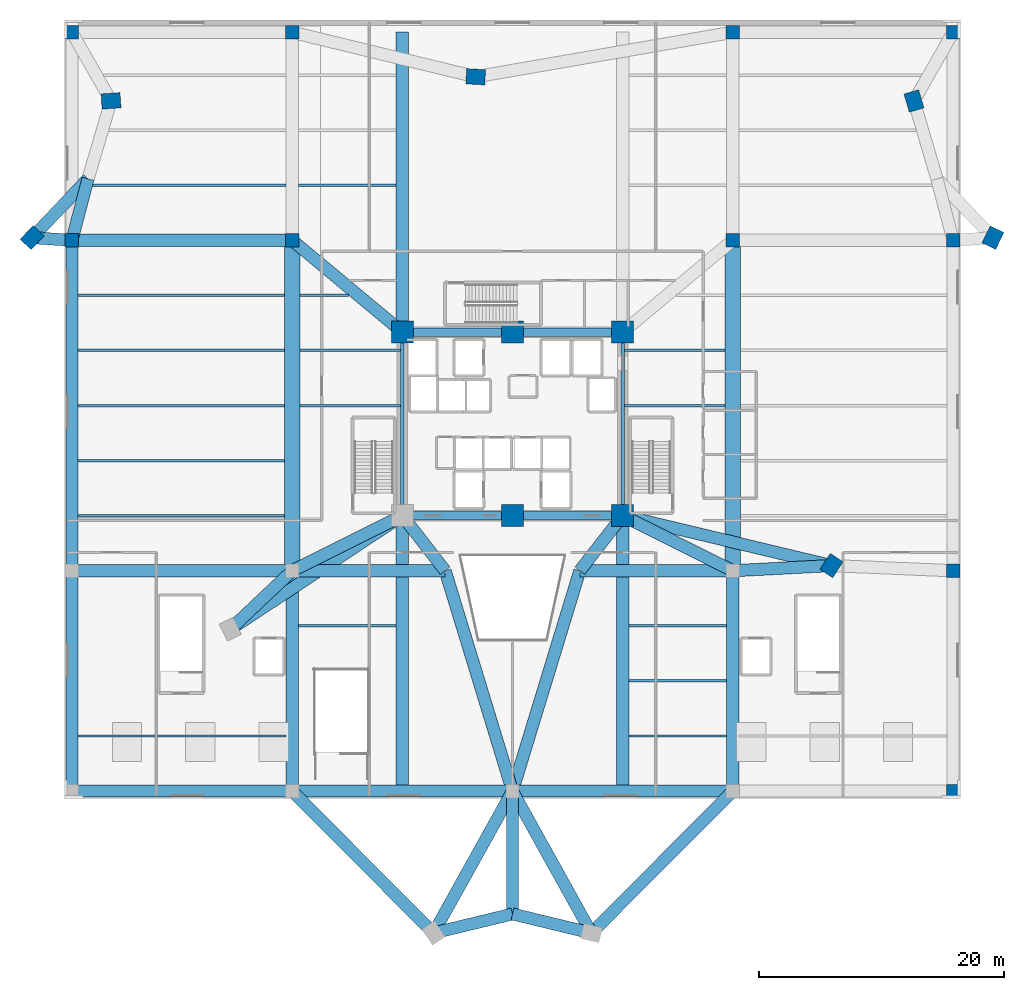
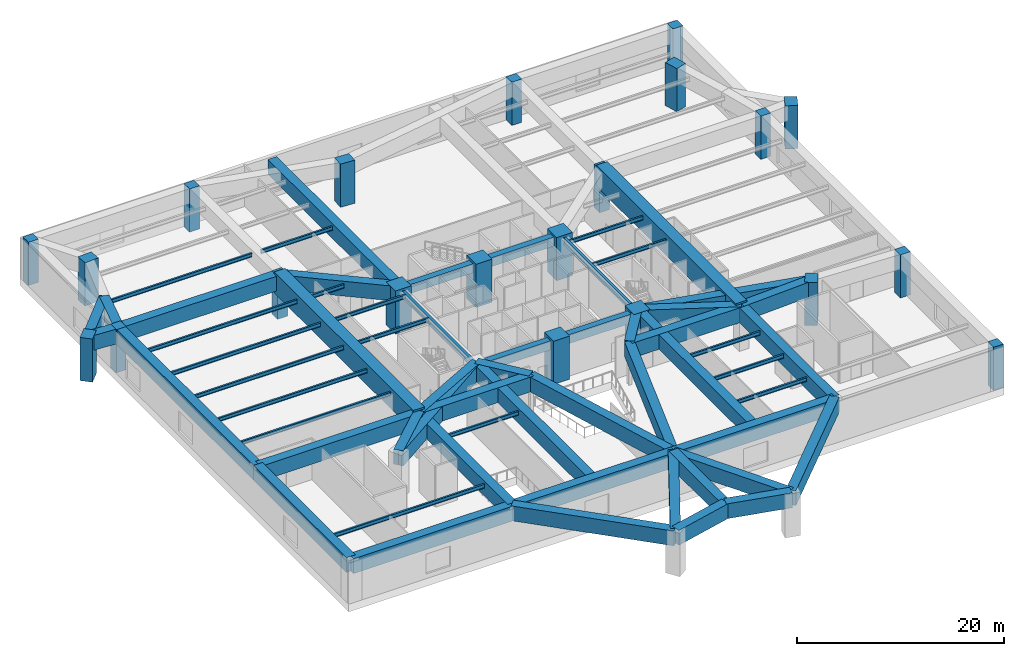
# One storey, part 3 of 14: 60 beams, 21 columns.
"""IFC4 building model written with IfcOpenShell, lengths in metres."""

import ifcopenshell
import ifcopenshell.guid

model = None  # the IFC model being written
_history = None  # IfcOwnerHistory: only IFC2X3 demands one
_inside = {}  # id of a spatial element -> (the spatial element, [elements in it])
_under = {}  # id of a project, library or spatial element -> (it, [spatial elements below it])
_declared = {}  # id of a project -> (the project, [libraries it declares])
_typed = {}  # id of a type object -> (the type object, [elements of that type])
_made_of = {}  # id of a material, layer set ... -> (it, [elements and type objects made of it])


def new_model(schema):
    """Start an empty IFC model of exactly this schema.

    Asked for "IFC4X3", IfcOpenShell would pick the latest addendum, in which some entities
    have other attributes; the version numbers below select the first issue.
    IFC2X3 requires an IfcOwnerHistory on every rooted entity: one is made here for all.
    """
    global model, _history
    if schema == "IFC4X3":
        model = ifcopenshell.file(schema_version=(4, 3, 0, 0))
    else:
        model = ifcopenshell.file(schema=schema)
    _inside.clear()
    _under.clear()
    _declared.clear()
    _typed.clear()
    _made_of.clear()
    _history = None
    if model.schema == "IFC2X3":
        org = make("IfcOrganization", Name="unknown")
        user = make(
            "IfcPersonAndOrganization",
            ThePerson=make("IfcPerson", FamilyName="unknown"),
            TheOrganization=org,
        )
        app = make(
            "IfcApplication",
            ApplicationDeveloper=org,
            Version="unknown",
            ApplicationFullName="unknown",
            ApplicationIdentifier="unknown",
        )
        _history = make(
            "IfcOwnerHistory",
            OwningUser=user,
            OwningApplication=app,
            ChangeAction="ADDED",
            CreationDate=0,
        )
    return model


def make(cls, **values):
    """One entity of the class cls with the attributes given. An attribute that is None is left unset."""
    return model.create_entity(
        cls, **{name: value for name, value in values.items() if value is not None}
    )


def rooted(cls, **values):
    """An entity with a GlobalId (a new one), such as an element, a storey or a relation."""
    return make(cls, GlobalId=ifcopenshell.guid.new(), OwnerHistory=_history, **values)


def si_unit(unit_type, name, prefix=None):
    """IfcSIUnit, for example si_unit("LENGTHUNIT", "METRE", prefix="MILLI")."""
    return make("IfcSIUnit", UnitType=unit_type, Prefix=prefix, Name=name)


def assignment(units):
    """IfcUnitAssignment: the units of a project."""
    return None if units is None else make("IfcUnitAssignment", Units=units)


def point(xyz):
    """IfcCartesianPoint."""
    return None if xyz is None else make("IfcCartesianPoint", Coordinates=xyz)


def direction(xyz):
    """IfcDirection."""
    return None if xyz is None else make("IfcDirection", DirectionRatios=xyz)


def frame(location, z_axis=None, x_axis=None):
    """IfcAxis2Placement3D, a coordinate frame: its origin and axes. An axis left out is left unset."""
    return make(
        "IfcAxis2Placement3D",
        Location=point(location),
        Axis=direction(z_axis),
        RefDirection=direction(x_axis),
    )


def frame_2d(location, x_axis=None):
    """IfcAxis2Placement2D, a coordinate frame in the plane: its origin and x axis."""
    return make(
        "IfcAxis2Placement2D", Location=point(location), RefDirection=direction(x_axis)
    )


def origin():
    """The frame at (0, 0, 0) with its axes left unset."""
    return frame((0.0, 0.0, 0.0))


def origin_2d():
    """The frame at (0, 0) in the plane with its x axis left unset."""
    return frame_2d((0.0, 0.0))


def place(relative_to, where):
    """IfcLocalPlacement: puts the frame where relative to a parent placement (None: the world)."""
    return make(
        "IfcLocalPlacement", PlacementRelTo=relative_to, RelativePlacement=where
    )


def context(
    kind, dimensions, precision=None, world=None, true_north=None, identifier=None
):
    """IfcGeometricRepresentationContext, for example the 3D "Model" context."""
    return make(
        "IfcGeometricRepresentationContext",
        ContextIdentifier=identifier,
        ContextType=kind,
        CoordinateSpaceDimension=dimensions,
        Precision=precision,
        WorldCoordinateSystem=world,
        TrueNorth=true_north,
    )


def subcontext(parent, identifier, kind, view, scale=None):
    """IfcGeometricRepresentationSubContext, for example "Body" below "Model"."""
    return make(
        "IfcGeometricRepresentationSubContext",
        ContextIdentifier=identifier,
        ContextType=kind,
        ParentContext=parent,
        TargetScale=scale,
        TargetView=view,
    )


def project(units=None, contexts=None):
    """IfcProject with its units and contexts."""
    return rooted(
        "IfcProject",
        Name="project",
        RepresentationContexts=contexts,
        UnitsInContext=assignment(units),
    )


def spatial(cls, under=None, at=None, **own):
    """A site, building, storey or space (cls), placed at a placement, below another one or the project."""
    s = rooted(cls, ObjectPlacement=at, **own)
    if under is not None:
        _under.setdefault(under.id(), (under, []))[1].append(s)
    return s


def profile(cls, at=None, kind="AREA", **sizes):
    """A parametric profile (cls). Its sizes go by their IFC names, for example OverallWidth=200.0."""
    return make(cls, ProfileType=kind, Position=at, **sizes)


def rectangle(**sizes):
    """IfcRectangleProfileDef."""
    return profile("IfcRectangleProfileDef", **sizes)


def i_section(**sizes):
    """IfcIShapeProfileDef."""
    return profile("IfcIShapeProfileDef", **sizes)


def extrude(swept, where, along, depth):
    """IfcExtrudedAreaSolid: the profile swept, set in the frame where, extruded along a direction by depth."""
    return make(
        "IfcExtrudedAreaSolid",
        SweptArea=swept,
        Position=where,
        ExtrudedDirection=direction(along),
        Depth=depth,
    )


def shape(context_of_items, identifier, shape_type, items):
    """IfcShapeRepresentation: the items that make up one representation, for example the "Body"."""
    return make(
        "IfcShapeRepresentation",
        ContextOfItems=context_of_items,
        RepresentationIdentifier=identifier,
        RepresentationType=shape_type,
        Items=items,
    )


def source(mapping_origin, context_of_items, identifier, shape_type, items):
    """IfcRepresentationMap: a shape defined once, which mapped items show again and again."""
    return make(
        "IfcRepresentationMap",
        MappingOrigin=mapping_origin,
        MappedRepresentation=shape(context_of_items, identifier, shape_type, items),
    )


def transform(
    local_origin,
    x_axis=None,
    y_axis=None,
    z_axis=None,
    scale=None,
    scale2=None,
    scale3=None,
    uniform=True,
):
    """IfcCartesianTransformationOperator3D, or its non-uniform kind. x_axis, y_axis, z_axis: its Axis1, 2, 3."""
    if uniform:
        return make(
            "IfcCartesianTransformationOperator3D",
            Axis1=direction(x_axis),
            Axis2=direction(y_axis),
            LocalOrigin=point(local_origin),
            Scale=scale,
            Axis3=direction(z_axis),
        )
    return make(
        "IfcCartesianTransformationOperator3DnonUniform",
        Axis1=direction(x_axis),
        Axis2=direction(y_axis),
        LocalOrigin=point(local_origin),
        Scale=scale,
        Axis3=direction(z_axis),
        Scale2=scale2,
        Scale3=scale3,
    )


def mapped(mapping_source, mapping_target):
    """IfcMappedItem: shows the shape of a source again, moved by a transform."""
    return make(
        "IfcMappedItem", MappingSource=mapping_source, MappingTarget=mapping_target
    )


def material(Name=None, Category=None):
    """IfcMaterial."""
    return make("IfcMaterial", Name=Name, Category=Category)


def material_profile(
    of_material, cross_section, Name=None, Category=None, Priority=None
):
    """IfcMaterialProfile: a cross section and its material."""
    return make(
        "IfcMaterialProfile",
        Name=Name,
        Material=of_material,
        Profile=cross_section,
        Priority=Priority,
        Category=Category,
    )


def profile_set(profiles, Name=None, composite=None):
    """IfcMaterialProfileSet."""
    return make(
        "IfcMaterialProfileSet",
        Name=Name,
        MaterialProfiles=profiles,
        CompositeProfile=composite,
    )


def made_of(thing, what):
    """Note that an element or type object is made of a material, layer set ...; save() writes the relation."""
    if what is not None:
        _made_of.setdefault(what.id(), (what, []))[1].append(thing)
    return thing


def type_object(cls, material=None, **own):
    """A type object (cls), such as IfcWallType, which elements share."""
    return made_of(rooted(cls, **own), material)


def element(
    cls,
    number,
    at=None,
    inside=None,
    cuts=None,
    type_object=None,
    material=None,
    context=None,
    identifier="Body",
    shape_type=None,
    held_by="IfcProductDefinitionShape",
    body=None,
    shapes=None,
    **own,
):
    """One element of the class cls, such as IfcWall. Its Tag is "e" and its number.

    at: its placement. inside: the storey or other place that contains it. cuts: it is an
    opening in that element (IfcRelVoidsElement). A single representation is given by context,
    identifier, shape_type and body (its items); several are given by shapes. held_by: the class
    of the entity that holds the representations. save() writes the other relations.
    """
    e = rooted(cls, Tag="e%d" % number, ObjectPlacement=at, **own)
    if body is not None:
        shapes = [shape(context, identifier, shape_type, body)]
    if shapes is not None:
        e.Representation = make(held_by, Representations=shapes)
    if inside is not None:
        _inside.setdefault(inside.id(), (inside, []))[1].append(e)
    if cuts is not None:
        rooted(
            "IfcRelVoidsElement", RelatingBuildingElement=cuts, RelatedOpeningElement=e
        )
    if type_object is not None:
        _typed.setdefault(type_object.id(), (type_object, []))[1].append(e)
    return made_of(e, material)


def aggregate(whole, parts):
    """IfcRelAggregates: a whole, such as a stair, and the parts it consists of."""
    return rooted("IfcRelAggregates", RelatingObject=whole, RelatedObjects=parts)


def save(model, path):
    """Write the relations noted so far, then the file.

    IfcRelAggregates (storeys below a building ...), IfcRelContainedInSpatialStructure (elements
    in a storey), IfcRelDefinesByType, IfcRelAssociatesMaterial and IfcRelDeclares: one each for
    every whole, place, type object, material and project.
    """
    for whole, parts in _under.values():
        aggregate(whole, parts)
    for where, things in _inside.values():
        rooted(
            "IfcRelContainedInSpatialStructure",
            RelatedElements=things,
            RelatingStructure=where,
        )
    for kind, things in _typed.values():
        rooted("IfcRelDefinesByType", RelatedObjects=things, RelatingType=kind)
    for what, things in _made_of.values():
        rooted("IfcRelAssociatesMaterial", RelatedObjects=things, RelatingMaterial=what)
    for by, libraries in _declared.values():
        rooted("IfcRelDeclares", RelatingContext=by, RelatedDefinitions=libraries)
    model.write(path)


model = new_model("IFC4")

# Units and contexts
model_context = context("Model", 3, precision=1e-05, world=origin(), true_north=direction((0.0, 1.0)))
body_context = subcontext(model_context, "Body", "Model", "MODEL_VIEW")
ifc_project = project(units=[si_unit("LENGTHUNIT", "METRE"), si_unit("AREAUNIT", "SQUARE_METRE"), si_unit("VOLUMEUNIT", "CUBIC_METRE"), si_unit("PLANEANGLEUNIT", "RADIAN"), si_unit("MASSUNIT", "GRAM", prefix="KILO")], contexts=[model_context])

# Site, building, storey
site_placement = place(None, origin())
site = spatial("IfcSite", under=ifc_project, at=site_placement, CompositionType="ELEMENT")
building_placement = place(site_placement, origin())
building = spatial("IfcBuilding", under=site, at=building_placement, Name="Liaohun Quay Tower", CompositionType="ELEMENT")
storey_placement = place(building_placement, frame((0.0, 0.0, 23.39990234375)))
storey = spatial("IfcBuildingStorey", under=building, at=storey_placement, Name="L06", CompositionType="ELEMENT", Elevation=23.39990234375)

# Columns
ifc_material_1 = material(Name="Concrete C60", Category="concrete")
ifc_material_profile_1 = material_profile(ifc_material_1, rectangle(XDim=1.800048828125, YDim=1.800048828125, at=origin_2d()), Name="RC1800x1800")
ifc_profile_set_1 = profile_set([ifc_material_profile_1], Name="Concrete C60")
column_type_1 = type_object("IfcColumnType", Name="COL-CC-B", PredefinedType="COLUMN", material=ifc_profile_set_1)
shared_shape_1 = source(origin(), body_context, "Body", "SweptSolid", [
    extrude(rectangle(XDim=1.800048828125, YDim=1.800048828125, at=origin_2d()), origin(), (0.0, 0.0, 1.0), 5.10009765625),
])
for number, where, z_axis, x_axis, name in (
    (1, (60.0, 46.5, 0.0), (0.0, 0.0, 1.0), (1.0, 0.0, 0.0), "L06 Core Column CC2"),
    (2, (69.0, 46.5, 0.0), (0.0, 0.0, 1.0), (1.0, 0.0, 0.0), "L06 Core Column CC3"),
    (3, (69.0, 61.5, 0.0), (0.0, 0.0, 1.0), (1.0, 0.0, 0.0), "L06 Core Column CC4"),
    (4, (60.0, 61.5, 0.0), (0.0, 0.0, 1.0), (1.0, 0.0, 0.0), "L06 Core Column CC5"),
    (5, (51.0, 61.5, 0.0), (0.0, 0.0, 1.0), (1.0, 0.0, 0.0), "L06 Core Column CC6"),
):
    element("IfcColumn", number, at=place(storey_placement, frame(where, z_axis=z_axis, x_axis=x_axis)), inside=storey, type_object=column_type_1, Name=name, PredefinedType="COLUMN", context=body_context, shape_type="MappedRepresentation", body=[
        mapped(shared_shape_1, transform((0.0, 0.0, 0.0), x_axis=(1.0, 0.0, 0.0), y_axis=(0.0, 1.0, 0.0), z_axis=(0.0, 0.0, 1.0), scale=1.0)),
    ])
ifc_material_profile_2 = material_profile(ifc_material_1, rectangle(XDim=1.550048828125, YDim=1.25, at=origin_2d()), Name="RC1550x1250")
ifc_profile_set_2 = profile_set([ifc_material_profile_2], Name="Concrete C60")
column_type_2 = type_object("IfcColumnType", Name="COL-PIER-Z1", PredefinedType="COLUMN", material=ifc_profile_set_2)
shared_shape_2 = source(origin(), body_context, "Body", "SweptSolid", [
    extrude(rectangle(XDim=1.550048828125, YDim=1.25, at=origin_2d()), origin(), (0.0, 0.0, 1.0), 5.10009765625),
])
for number, where, z_axis, x_axis, name in (
    (6, (20.748046875, 69.217041015625, 0.0), (0.0, 0.0, 1.0), (0.68936671806, 0.724412539946, 0.0), "L06 Tower Mega-Pier PC03"),
    (7, (27.198974609375, 80.39111328125, 0.0), (0.0, 0.0, 1.0), (0.997824541457, 0.065925597951, 0.0), "L06 Tower Mega-Pier PC05"),
    (8, (92.802978515625, 80.384033203125, 0.0), (0.0, 0.0, 1.0), (-0.282676303383, 0.959215360337, 0.0), "L06 Tower Mega-Pier PC07"),
    (9, (99.256103515625, 69.2119140625, 0.0), (0.0, 0.0, 1.0), (0.441819028143, 0.897104200397, 0.0), "L06 Tower Mega-Pier PC09"),
    (10, (56.9951171875, 82.360107421875, 0.0), (0.0, 0.0, 1.0), (-0.998479491627, 0.055124448298, 0.0), "L06 Tower Mega-Pier PC06"),
    (11, (86.06396484375, 42.423095703125, 0.0), (0.0, 0.0, 1.0), (0.546978918409, 0.837146380758, 0.0), "L06 Tower Mega-Pier PC10"),
):
    element("IfcColumn", number, at=place(storey_placement, frame(where, z_axis=z_axis, x_axis=x_axis)), inside=storey, type_object=column_type_2, Name=name, PredefinedType="COLUMN", context=body_context, shape_type="MappedRepresentation", body=[
        mapped(shared_shape_2, transform((0.0, 0.0, 0.0), x_axis=(1.0, 0.0, 0.0), y_axis=(0.0, 1.0, 0.0), z_axis=(0.0, 0.0, 1.0), scale=1.0)),
    ])
ifc_material_2 = material(Name="Concrete C55", Category="concrete")
ifc_material_profile_3 = material_profile(ifc_material_2, rectangle(XDim=1.10009765625, YDim=1.10009765625, at=origin_2d()), Name="RC1100x1100")
ifc_profile_set_3 = profile_set([ifc_material_profile_3], Name="Concrete C55")
column_type_3 = type_object("IfcColumnType", Name="COL-POD-P", PredefinedType="COLUMN", material=ifc_profile_set_3)
shared_shape_3 = source(origin(), body_context, "Body", "SweptSolid", [
    extrude(rectangle(XDim=1.10009765625, YDim=1.10009765625, at=origin_2d()), origin(), (0.0, 0.0, 1.0), 5.10009765625),
])
for number, where, z_axis, x_axis, name in (
    (12, (96.0, 24.0, 0.0), (0.0, 0.0, 1.0), (1.0, 0.0, 0.0), "L06 Podium Column PG05"),
    (13, (96.0, 42.0, 0.0), (0.0, 0.0, 1.0), (1.0, 0.0, 0.0), "L06 Podium Column PG09"),
    (14, (24.0, 69.0, 0.0), (0.0, 0.0, 1.0), (1.0, 0.0, 0.0), "L06 Podium Column PG10"),
    (15, (42.0, 69.0, 0.0), (0.0, 0.0, 1.0), (1.0, 0.0, 0.0), "L06 Podium Column PG11"),
    (16, (78.0, 69.0, 0.0), (0.0, 0.0, 1.0), (1.0, 0.0, 0.0), "L06 Podium Column PG12"),
    (17, (96.0, 69.0, 0.0), (0.0, 0.0, 1.0), (1.0, 0.0, 0.0), "L06 Podium Column PG13"),
    (18, (24.0, 86.0, 0.0), (0.0, 0.0, 1.0), (1.0, 0.0, 0.0), "L06 Podium Column PG14"),
    (19, (42.0, 86.0, 0.0), (0.0, 0.0, 1.0), (1.0, 0.0, 0.0), "L06 Podium Column PG15"),
    (20, (78.0, 86.0, 0.0), (0.0, 0.0, 1.0), (1.0, 0.0, 0.0), "L06 Podium Column PG17"),
    (21, (96.0, 86.0, 0.0), (0.0, 0.0, 1.0), (1.0, 0.0, 0.0), "L06 Podium Column PG18"),
):
    element("IfcColumn", number, at=place(storey_placement, frame(where, z_axis=z_axis, x_axis=x_axis)), inside=storey, type_object=column_type_3, Name=name, PredefinedType="COLUMN", context=body_context, shape_type="MappedRepresentation", body=[
        mapped(shared_shape_3, transform((0.0, 0.0, 0.0), x_axis=(1.0, 0.0, 0.0), y_axis=(0.0, 1.0, 0.0), z_axis=(0.0, 0.0, 1.0), scale=1.0)),
    ])

# Beams
ifc_material_profile_4 = material_profile(ifc_material_1, rectangle(XDim=0.699951171875, YDim=1.050048828125, at=origin_2d()), Name="RC700x1050")
ifc_profile_set_4 = profile_set([ifc_material_profile_4], Name="Concrete C60")
beam_type_1 = type_object("IfcBeamType", Name="BM-CPL-1", PredefinedType="LINTEL", material=ifc_profile_set_4)
shared_shape_4 = source(origin(), body_context, "Body", "SweptSolid", [
    extrude(rectangle(XDim=0.699951171875, YDim=1.050048828125, at=origin_2d()), origin(), (0.0, 0.0, 1.0), 9.0),
])
for number, where, z_axis, x_axis, name in (
    (22, (51.0, 46.5, 4.295166015625), (1.0, 0.0, 0.0), (0.0, 1.0, 0.0), "L06 Core Coupling/Ring Beam CC1-CC2"),
    (23, (60.0, 46.5, 4.295166015625), (1.0, 0.0, 0.0), (0.0, 1.0, 0.0), "L06 Core Coupling/Ring Beam CC2-CC3"),
    (24, (69.0, 61.5, 4.295166015625), (-1.0, 0.0, 0.0), (0.0, -1.0, 0.0), "L06 Core Coupling/Ring Beam CC4-CC5"),
    (25, (60.0, 61.5, 4.295166015625), (-1.0, 0.0, 0.0), (0.0, -1.0, 0.0), "L06 Core Coupling/Ring Beam CC5-CC6"),
):
    element("IfcBeam", number, at=place(storey_placement, frame(where, z_axis=z_axis, x_axis=x_axis)), inside=storey, type_object=beam_type_1, Name=name, PredefinedType="LINTEL", context=body_context, shape_type="MappedRepresentation", body=[
        mapped(shared_shape_4, transform((0.0, 0.0, 0.0), x_axis=(1.0, 0.0, 0.0), y_axis=(0.0, 1.0, 0.0), z_axis=(0.0, 0.0, 1.0), scale=1.0)),
    ])
ifc_material_3 = material(Name="Steel Q355D", Category="steel")
ifc_material_profile_5 = material_profile(ifc_material_3, i_section(OverallWidth=0.300048828125, OverallDepth=0.800048828125, WebThickness=0.013916015625, FlangeThickness=0.02587890625, at=origin_2d()), Name="HN800x300x14x26")
ifc_profile_set_5 = profile_set([ifc_material_profile_5], Name="Steel Q355D")
beam_type_2 = type_object("IfcBeamType", Name="BM-RAD-M1", PredefinedType="BEAM", material=ifc_profile_set_5)
shared_shape_5 = source(origin(), body_context, "Body", "SweptSolid", [
    extrude(i_section(OverallWidth=0.300048828125, OverallDepth=0.800048828125, WebThickness=0.013916015625, FlangeThickness=0.02587890625, at=origin_2d()), origin(), (0.0, 0.0, 1.0), 15.0),
])
for number, where, z_axis, x_axis, name in (
    (26, (69.0, 46.5, 4.420166015625), (0.0, 1.0, 0.0), (-1.0, 0.0, 0.0), "L06 Core Coupling/Ring Beam CC3-CC4"),
    (27, (51.0, 61.5, 4.420166015625), (0.0, -1.0, 0.0), (1.0, 0.0, 0.0), "L06 Core Coupling/Ring Beam CC6-CC1"),
):
    element("IfcBeam", number, at=place(storey_placement, frame(where, z_axis=z_axis, x_axis=x_axis)), inside=storey, type_object=beam_type_2, Name=name, PredefinedType="BEAM", context=body_context, shape_type="MappedRepresentation", body=[
        mapped(shared_shape_5, transform((0.0, 0.0, 0.0), x_axis=(1.0, 0.0, 0.0), y_axis=(0.0, 1.0, 0.0), z_axis=(0.0, 0.0, 1.0), scale=1.0)),
    ])
ifc_material_profile_6 = material_profile(ifc_material_1, rectangle(XDim=1.0, YDim=1.75, at=origin_2d()), Name="RC1000x1750")
ifc_profile_set_6 = profile_set([ifc_material_profile_6], Name="Concrete C60")
beam_type_3 = type_object("IfcBeamType", Name="BM-TRF-2", PredefinedType="BEAM", material=ifc_profile_set_6)
shared_shape_6 = source(origin(), body_context, "Body", "SweptSolid", [
    extrude(rectangle(XDim=1.0, YDim=1.75, at=origin_2d()), origin(), (0.0, 0.0, 1.0), 18.0),
])
for number, where, z_axis, x_axis, name in (
    (28, (24.0, 24.0, 4.22509765625), (1.0, 0.0, 0.0), (0.0, 1.0, 0.0), "L06 Primary Grid Girder PG01-PG02"),
    (29, (42.0, 24.0, 4.22509765625), (1.0, 0.0, 0.0), (0.0, 1.0, 0.0), "L06 Primary Grid Girder PG02-PG03"),
    (30, (60.0, 24.0, 4.22509765625), (1.0, 0.0, 0.0), (0.0, 1.0, 0.0), "L06 Primary Grid Girder PG03-PG04"),
    (31, (24.0, 42.0, 4.22509765625), (1.0, 0.0, 0.0), (0.0, 1.0, 0.0), "L06 Primary Grid Girder PG06-PG07"),
    (32, (24.0, 69.0, 4.22509765625), (1.0, 0.0, 0.0), (0.0, 1.0, 0.0), "L06 Primary Grid Girder PG10-PG11"),
    (33, (24.0, 24.0, 4.22509765625), (0.0, 1.0, 0.0), (-1.0, 0.0, 0.0), "L06 Primary Grid Girder PG01-PG06"),
    (34, (42.0, 24.0, 4.22509765625), (0.0, 1.0, 0.0), (-1.0, 0.0, 0.0), "L06 Primary Grid Girder PG02-PG07"),
    (35, (78.0, 24.0, 4.22509765625), (0.0, 1.0, 0.0), (-1.0, 0.0, 0.0), "L06 Primary Grid Girder PG04-PG08"),
):
    element("IfcBeam", number, at=place(storey_placement, frame(where, z_axis=z_axis, x_axis=x_axis)), inside=storey, type_object=beam_type_3, Name=name, PredefinedType="BEAM", context=body_context, shape_type="MappedRepresentation", body=[
        mapped(shared_shape_6, transform((0.0, 0.0, 0.0), x_axis=(1.0, 0.0, 0.0), y_axis=(0.0, 1.0, 0.0), z_axis=(0.0, 0.0, 1.0), scale=1.0)),
    ])
shared_shape_7 = source(origin(), body_context, "Body", "SweptSolid", [
    extrude(rectangle(XDim=1.0, YDim=1.75, at=origin_2d()), origin(), (0.0, 0.0, 1.0), 12.5),
])
for number, where, z_axis, x_axis, name in (
    (36, (42.0, 42.0, 4.22509765625), (1.0, 0.0, 0.0), (0.0, 1.0, 0.0), "L06 Primary Grid Girder PG07-AT1"),
    (37, (65.5, 42.0, 4.22509765625), (1.0, 0.0, 0.0), (0.0, 1.0, 0.0), "L06 Primary Grid Girder AT2-PG08"),
):
    element("IfcBeam", number, at=place(storey_placement, frame(where, z_axis=z_axis, x_axis=x_axis)), inside=storey, type_object=beam_type_3, Name=name, PredefinedType="BEAM", context=body_context, shape_type="MappedRepresentation", body=[
        mapped(shared_shape_7, transform((0.0, 0.0, 0.0), x_axis=(1.0, 0.0, 0.0), y_axis=(0.0, 1.0, 0.0), z_axis=(0.0, 0.0, 1.0), scale=1.0)),
    ])
shared_shape_8 = source(origin(), body_context, "Body", "SweptSolid", [
    extrude(rectangle(XDim=1.0, YDim=1.75, at=origin_2d()), origin(), (0.0, 0.0, 1.0), 8.074951171875),
])
beam_1_placement = place(storey_placement, frame((78.0, 42.0, 4.22509765625), z_axis=(0.998626418426, 0.052395385502, 0.0), x_axis=(-0.052395385502, 0.998626418426, 0.0)))
element("IfcBeam", 38, at=beam_1_placement, inside=storey, type_object=beam_type_3, Name="L06 Primary Grid Girder PG08-PC10", PredefinedType="BEAM", context=body_context, shape_type="MappedRepresentation", body=[
    mapped(shared_shape_8, transform((0.0, 0.0, 0.0), x_axis=(1.0, 0.0, 0.0), y_axis=(0.0, 1.0, 0.0), z_axis=(0.0, 0.0, 1.0), scale=1.0)),
])
shared_shape_9 = source(origin(), body_context, "Body", "SweptSolid", [
    extrude(rectangle(XDim=1.0, YDim=1.75, at=origin_2d()), origin(), (0.0, 0.0, 1.0), 11.71533203125),
])
beam_2_placement = place(storey_placement, frame((42.0, 69.0, 4.22509765625), z_axis=(0.768221279597, -0.640184399664, 0.0), x_axis=(0.640184399664, 0.768221279597, 0.0)))
element("IfcBeam", 39, at=beam_2_placement, inside=storey, type_object=beam_type_3, Name="L06 Primary Grid Girder PG11-CC6", PredefinedType="BEAM", context=body_context, shape_type="MappedRepresentation", body=[
    mapped(shared_shape_9, transform((0.0, 0.0, 0.0), x_axis=(1.0, 0.0, 0.0), y_axis=(0.0, 1.0, 0.0), z_axis=(0.0, 0.0, 1.0), scale=1.0)),
])
shared_shape_10 = source(origin(), body_context, "Body", "SweptSolid", [
    extrude(rectangle(XDim=1.0, YDim=1.75, at=origin_2d()), origin(), (0.0, 0.0, 1.0), 27.0),
])
beam_3_placement = place(storey_placement, frame((24.0, 42.0, 4.22509765625), z_axis=(0.0, 1.0, 0.0), x_axis=(-1.0, 0.0, 0.0)))
element("IfcBeam", 40, at=beam_3_placement, inside=storey, type_object=beam_type_3, Name="L06 Primary Grid Girder PG06-PG10", PredefinedType="BEAM", context=body_context, shape_type="MappedRepresentation", body=[
    mapped(shared_shape_10, transform((0.0, 0.0, 0.0), x_axis=(1.0, 0.0, 0.0), y_axis=(0.0, 1.0, 0.0), z_axis=(0.0, 0.0, 1.0), scale=1.0)),
])
shared_shape_11 = source(origin(), body_context, "Body", "SweptSolid", [
    extrude(rectangle(XDim=1.0, YDim=1.75, at=origin_2d()), origin(), (0.0, 0.0, 1.0), 10.062255859375),
])
for number, where, z_axis, x_axis, name in (
    (41, (42.0, 42.0, 4.22509765625), (0.894427191, 0.4472135955, 0.0), (-0.4472135955, 0.894427191, 0.0), "L06 Primary Grid Girder PG07-CC1"),
    (42, (78.0, 42.0, 4.22509765625), (-0.894427191, 0.4472135955, 0.0), (-0.4472135955, -0.894427191, 0.0), "L06 Primary Grid Girder PG08-CC3"),
):
    element("IfcBeam", number, at=place(storey_placement, frame(where, z_axis=z_axis, x_axis=x_axis)), inside=storey, type_object=beam_type_3, Name=name, PredefinedType="BEAM", context=body_context, shape_type="MappedRepresentation", body=[
        mapped(shared_shape_11, transform((0.0, 0.0, 0.0), x_axis=(1.0, 0.0, 0.0), y_axis=(0.0, 1.0, 0.0), z_axis=(0.0, 0.0, 1.0), scale=1.0)),
    ])
shared_shape_12 = source(origin(), body_context, "Body", "SweptSolid", [
    extrude(rectangle(XDim=1.0, YDim=1.75, at=origin_2d()), origin(), (0.0, 0.0, 1.0), 18.821533203125),
])
for number, where, z_axis, x_axis, name in (
    (43, (60.0, 24.0, 4.22509765625), (-0.292218535599, 0.956351571051, 0.0), (-0.956351571051, -0.292218535599, 0.0), "L06 Primary Grid Girder PG03-AT1"),
    (44, (60.0, 24.0, 4.22509765625), (0.292218535599, 0.956351571051, 0.0), (-0.956351571051, 0.292218535599, 0.0), "L06 Primary Grid Girder PG03-AT2"),
):
    element("IfcBeam", number, at=place(storey_placement, frame(where, z_axis=z_axis, x_axis=x_axis)), inside=storey, type_object=beam_type_3, Name=name, PredefinedType="BEAM", context=body_context, shape_type="MappedRepresentation", body=[
        mapped(shared_shape_12, transform((0.0, 0.0, 0.0), x_axis=(1.0, 0.0, 0.0), y_axis=(0.0, 1.0, 0.0), z_axis=(0.0, 0.0, 1.0), scale=1.0)),
    ])
shared_shape_13 = source(origin(), body_context, "Body", "SweptSolid", [
    extrude(rectangle(XDim=1.0, YDim=1.75, at=origin_2d()), origin(), (0.0, 0.0, 1.0), 5.700927734375),
])
for number, where, z_axis, x_axis, name in (
    (45, (54.5, 42.0, 4.22509765625), (-0.613940613515, 0.789352217376, 0.0), (-0.789352217376, -0.613940613515, 0.0), "L06 Primary Grid Girder AT1-CC1"),
    (46, (65.5, 42.0, 4.22509765625), (0.613940613515, 0.789352217376, 0.0), (-0.789352217376, 0.613940613515, 0.0), "L06 Primary Grid Girder AT2-CC3"),
):
    element("IfcBeam", number, at=place(storey_placement, frame(where, z_axis=z_axis, x_axis=x_axis)), inside=storey, type_object=beam_type_3, Name=name, PredefinedType="BEAM", context=body_context, shape_type="MappedRepresentation", body=[
        mapped(shared_shape_13, transform((0.0, 0.0, 0.0), x_axis=(1.0, 0.0, 0.0), y_axis=(0.0, 1.0, 0.0), z_axis=(0.0, 0.0, 1.0), scale=1.0)),
    ])
shared_shape_14 = source(origin(), body_context, "Body", "SweptSolid", [
    extrude(rectangle(XDim=1.0, YDim=1.75, at=origin_2d()), origin(), (0.0, 0.0, 1.0), 16.368896484375),
])
beam_4_placement = place(storey_placement, frame((53.5458984375, 12.39697265625, 4.22509765625), z_axis=(-0.705359574392, 0.708849681395, 0.0), x_axis=(-0.708849681395, -0.705359574392, 0.0)))
element("IfcBeam", 47, at=beam_4_placement, inside=storey, type_object=beam_type_3, Name="L06 Primary Grid Girder PC01-PG02", PredefinedType="BEAM", context=body_context, shape_type="MappedRepresentation", body=[
    mapped(shared_shape_14, transform((0.0, 0.0, 0.0), x_axis=(1.0, 0.0, 0.0), y_axis=(0.0, 1.0, 0.0), z_axis=(0.0, 0.0, 1.0), scale=1.0)),
])
shared_shape_15 = source(origin(), body_context, "Body", "SweptSolid", [
    extrude(rectangle(XDim=1.0, YDim=1.75, at=origin_2d()), origin(), (0.0, 0.0, 1.0), 13.27734375),
])
beam_5_placement = place(storey_placement, frame((53.5458984375, 12.39697265625, 4.22509765625), z_axis=(0.486101867227, 0.87390215395, 0.0), x_axis=(-0.87390215395, 0.486101867227, 0.0)))
element("IfcBeam", 48, at=beam_5_placement, inside=storey, type_object=beam_type_3, Name="L06 Primary Grid Girder PC01-PG03", PredefinedType="BEAM", context=body_context, shape_type="MappedRepresentation", body=[
    mapped(shared_shape_15, transform((0.0, 0.0, 0.0), x_axis=(1.0, 0.0, 0.0), y_axis=(0.0, 1.0, 0.0), z_axis=(0.0, 0.0, 1.0), scale=1.0)),
])
shared_shape_16 = source(origin(), body_context, "Body", "SweptSolid", [
    extrude(rectangle(XDim=1.0, YDim=1.75, at=origin_2d()), origin(), (0.0, 0.0, 1.0), 13.272705078125),
])
beam_6_placement = place(storey_placement, frame((66.447998046875, 12.39892578125, 4.22509765625), z_axis=(-0.485813156466, 0.874062684826, 0.0), x_axis=(-0.874062684826, -0.485813156466, 0.0)))
element("IfcBeam", 49, at=beam_6_placement, inside=storey, type_object=beam_type_3, Name="L06 Primary Grid Girder PC11-PG03", PredefinedType="BEAM", context=body_context, shape_type="MappedRepresentation", body=[
    mapped(shared_shape_16, transform((0.0, 0.0, 0.0), x_axis=(1.0, 0.0, 0.0), y_axis=(0.0, 1.0, 0.0), z_axis=(0.0, 0.0, 1.0), scale=1.0)),
])
shared_shape_17 = source(origin(), body_context, "Body", "SweptSolid", [
    extrude(rectangle(XDim=1.0, YDim=1.75, at=origin_2d()), origin(), (0.0, 0.0, 1.0), 16.371826171875),
])
beam_7_placement = place(storey_placement, frame((66.447998046875, 12.39892578125, 4.22509765625), z_axis=(0.705606504265, 0.708603881685, 0.0), x_axis=(-0.708603881685, 0.705606504265, 0.0)))
element("IfcBeam", 50, at=beam_7_placement, inside=storey, type_object=beam_type_3, Name="L06 Primary Grid Girder PC11-PG04", PredefinedType="BEAM", context=body_context, shape_type="MappedRepresentation", body=[
    mapped(shared_shape_17, transform((0.0, 0.0, 0.0), x_axis=(1.0, 0.0, 0.0), y_axis=(0.0, 1.0, 0.0), z_axis=(0.0, 0.0, 1.0), scale=1.0)),
])
shared_shape_18 = source(origin(), body_context, "Body", "SweptSolid", [
    extrude(rectangle(XDim=1.0, YDim=1.75, at=origin_2d()), origin(), (0.0, 0.0, 1.0), 6.6396484375),
])
beam_8_placement = place(storey_placement, frame((53.5458984375, 12.39697265625, 4.22509765625), z_axis=(0.972041127414, 0.234810661207, 0.0), x_axis=(-0.234810661207, 0.972041127414, 0.0)))
element("IfcBeam", 51, at=beam_8_placement, inside=storey, type_object=beam_type_3, Name="L06 Waterfront Prow Transfer Girder TB-2A", PredefinedType="BEAM", context=body_context, shape_type="MappedRepresentation", body=[
    mapped(shared_shape_18, transform((0.0, 0.0, 0.0), x_axis=(1.0, 0.0, 0.0), y_axis=(0.0, 1.0, 0.0), z_axis=(0.0, 0.0, 1.0), scale=1.0)),
])
shared_shape_19 = source(origin(), body_context, "Body", "SweptSolid", [
    extrude(rectangle(XDim=1.0, YDim=1.75, at=origin_2d()), origin(), (0.0, 0.0, 1.0), 6.63330078125),
])
for number, where, z_axis, x_axis, name in (
    (52, (60.0, 13.9560546875, 4.22509765625), (0.97205759762, -0.234742469335, 0.0), (0.234742469335, 0.97205759762, 0.0), "L06 Waterfront Prow Transfer Girder TB-2B"),
    (53, (20.748046875, 69.217041015625, 4.22509765625), (0.689407908081, 0.724373340395, 0.0), (-0.724373340395, 0.689407908081, 0.0), "L06 NW Notch Transfer Girder TB-2C"),
):
    element("IfcBeam", number, at=place(storey_placement, frame(where, z_axis=z_axis, x_axis=x_axis)), inside=storey, type_object=beam_type_3, Name=name, PredefinedType="BEAM", context=body_context, shape_type="MappedRepresentation", body=[
        mapped(shared_shape_19, transform((0.0, 0.0, 0.0), x_axis=(1.0, 0.0, 0.0), y_axis=(0.0, 1.0, 0.0), z_axis=(0.0, 0.0, 1.0), scale=1.0)),
    ])
shared_shape_20 = source(origin(), body_context, "Body", "SweptSolid", [
    extrude(rectangle(XDim=1.0, YDim=1.75, at=origin_2d()), origin(), (0.0, 0.0, 1.0), 10.0439453125),
])
beam_9_placement = place(storey_placement, frame((60.0, 24.0, 4.22509765625), z_axis=(0.0, -1.0, 0.0), x_axis=(1.0, 0.0, 0.0)))
element("IfcBeam", 54, at=beam_9_placement, inside=storey, type_object=beam_type_3, Name="L06 Waterfront Prow Radial Transfer Girder TB-2R", PredefinedType="BEAM", context=body_context, shape_type="MappedRepresentation", body=[
    mapped(shared_shape_20, transform((0.0, 0.0, 0.0), x_axis=(1.0, 0.0, 0.0), y_axis=(0.0, 1.0, 0.0), z_axis=(0.0, 0.0, 1.0), scale=1.0)),
])
shared_shape_21 = source(origin(), body_context, "Body", "SweptSolid", [
    extrude(rectangle(XDim=1.0, YDim=1.75, at=origin_2d()), origin(), (0.0, 0.0, 1.0), 6.962158203125),
])
beam_10_placement = place(storey_placement, frame((36.94091796875, 37.217041015625, 4.22509765625), z_axis=(0.726659067673, 0.686998252813, 0.0), x_axis=(-0.686998252813, 0.726659067673, 0.0)))
element("IfcBeam", 55, at=beam_10_placement, inside=storey, type_object=beam_type_3, Name="L06 Primary Grid Girder PC02-PG07", PredefinedType="BEAM", context=body_context, shape_type="MappedRepresentation", body=[
    mapped(shared_shape_21, transform((0.0, 0.0, 0.0), x_axis=(1.0, 0.0, 0.0), y_axis=(0.0, 1.0, 0.0), z_axis=(0.0, 0.0, 1.0), scale=1.0)),
])
shared_shape_22 = source(origin(), body_context, "Body", "SweptSolid", [
    extrude(rectangle(XDim=1.0, YDim=1.75, at=origin_2d()), origin(), (0.0, 0.0, 1.0), 16.84716796875),
])
beam_11_placement = place(storey_placement, frame((36.94091796875, 37.217041015625, 4.22509765625), z_axis=(0.834501195619, 0.551006129285, 0.0), x_axis=(-0.551006129285, 0.834501195619, 0.0)))
element("IfcBeam", 56, at=beam_11_placement, inside=storey, type_object=beam_type_3, Name="L06 Primary Grid Girder PC02-CC1", PredefinedType="BEAM", context=body_context, shape_type="MappedRepresentation", body=[
    mapped(shared_shape_22, transform((0.0, 0.0, 0.0), x_axis=(1.0, 0.0, 0.0), y_axis=(0.0, 1.0, 0.0), z_axis=(0.0, 0.0, 1.0), scale=1.0)),
])
shared_shape_23 = source(origin(), body_context, "Body", "SweptSolid", [
    extrude(rectangle(XDim=1.0, YDim=1.75, at=origin_2d()), origin(), (0.0, 0.0, 1.0), 17.544189453125),
])
beam_12_placement = place(storey_placement, frame((86.06396484375, 42.423095703125, 4.22509765625), z_axis=(-0.972625403076, 0.23237862486, 0.0), x_axis=(-0.23237862486, -0.972625403076, 0.0)))
element("IfcBeam", 57, at=beam_12_placement, inside=storey, type_object=beam_type_3, Name="L06 Primary Grid Girder PC10-CC3", PredefinedType="BEAM", context=body_context, shape_type="MappedRepresentation", body=[
    mapped(shared_shape_23, transform((0.0, 0.0, 0.0), x_axis=(1.0, 0.0, 0.0), y_axis=(0.0, 1.0, 0.0), z_axis=(0.0, 0.0, 1.0), scale=1.0)),
])
shared_shape_24 = source(origin(), body_context, "Body", "SweptSolid", [
    extrude(rectangle(XDim=1.0, YDim=1.75, at=origin_2d()), origin(), (0.0, 0.0, 1.0), 3.25927734375),
])
beam_13_placement = place(storey_placement, frame((20.748046875, 69.217041015625, 4.22509765625), z_axis=(0.997780183272, -0.066593587307, 0.0), x_axis=(0.066593587307, 0.997780183272, 0.0)))
element("IfcBeam", 58, at=beam_13_placement, inside=storey, type_object=beam_type_3, Name="L06 Primary Grid Girder PC03-PG10", PredefinedType="BEAM", context=body_context, shape_type="MappedRepresentation", body=[
    mapped(shared_shape_24, transform((0.0, 0.0, 0.0), x_axis=(1.0, 0.0, 0.0), y_axis=(0.0, 1.0, 0.0), z_axis=(0.0, 0.0, 1.0), scale=1.0)),
])
shared_shape_25 = source(origin(), body_context, "Body", "SweptSolid", [
    extrude(rectangle(XDim=1.0, YDim=1.75, at=origin_2d()), origin(), (0.0, 0.0, 1.0), 5.19287109375),
])
beam_14_placement = place(storey_placement, frame((24.0, 69.0, 4.22509765625), z_axis=(0.254398415358, 0.967099501739, 0.0), x_axis=(-0.967099501739, 0.254398415358, 0.0)))
element("IfcBeam", 59, at=beam_14_placement, inside=storey, type_object=beam_type_3, Name="L06 NW Notch Radial Transfer Girder TB-2CR", PredefinedType="BEAM", context=body_context, shape_type="MappedRepresentation", body=[
    mapped(shared_shape_25, transform((0.0, 0.0, 0.0), x_axis=(1.0, 0.0, 0.0), y_axis=(0.0, 1.0, 0.0), z_axis=(0.0, 0.0, 1.0), scale=1.0)),
])
ifc_material_profile_7 = material_profile(ifc_material_1, rectangle(XDim=1.25, YDim=2.449951171875, at=origin_2d()), Name="RC1250x2450")
ifc_profile_set_7 = profile_set([ifc_material_profile_7], Name="Concrete C60")
beam_type_4 = type_object("IfcBeamType", Name="BM-TRF-1", PredefinedType="BEAM", material=ifc_profile_set_7)
shared_shape_26 = source(origin(), body_context, "Body", "SweptSolid", [
    extrude(rectangle(XDim=1.25, YDim=2.449951171875, at=origin_2d()), origin(), (0.0, 0.0, 1.0), 27.0),
])
for number, where, z_axis, x_axis, name in (
    (60, (42.0, 42.0, 4.10009765625), (0.0, 1.0, 0.0), (-1.0, 0.0, 0.0), "L06 Heavy Core-Flank Transfer Girder TB-1W"),
    (61, (78.0, 42.0, 4.10009765625), (0.0, 1.0, 0.0), (-1.0, 0.0, 0.0), "L06 Heavy Core-Flank Transfer Girder TB-1E"),
):
    element("IfcBeam", number, at=place(storey_placement, frame(where, z_axis=z_axis, x_axis=x_axis)), inside=storey, type_object=beam_type_4, Name=name, PredefinedType="BEAM", context=body_context, shape_type="MappedRepresentation", body=[
        mapped(shared_shape_26, transform((0.0, 0.0, 0.0), x_axis=(1.0, 0.0, 0.0), y_axis=(0.0, 1.0, 0.0), z_axis=(0.0, 0.0, 1.0), scale=1.0)),
    ])
shared_shape_27 = source(origin(), body_context, "Body", "SweptSolid", [
    extrude(rectangle(XDim=1.0, YDim=1.75, at=origin_2d()), origin(), (0.0, 0.0, 1.0), 22.5),
])
for number, where, z_axis, x_axis, name in (
    (62, (51.0, 24.0, 4.22509765625), (0.0, 1.0, 0.0), (-1.0, 0.0, 0.0), "L06 Spine Girder X51-S"),
    (63, (69.0, 24.0, 4.22509765625), (0.0, 1.0, 0.0), (-1.0, 0.0, 0.0), "L06 Spine Girder X69-S"),
):
    element("IfcBeam", number, at=place(storey_placement, frame(where, z_axis=z_axis, x_axis=x_axis)), inside=storey, type_object=beam_type_3, Name=name, PredefinedType="BEAM", context=body_context, shape_type="MappedRepresentation", body=[
        mapped(shared_shape_27, transform((0.0, 0.0, 0.0), x_axis=(1.0, 0.0, 0.0), y_axis=(0.0, 1.0, 0.0), z_axis=(0.0, 0.0, 1.0), scale=1.0)),
    ])
shared_shape_28 = source(origin(), body_context, "Body", "SweptSolid", [
    extrude(rectangle(XDim=1.0, YDim=1.75, at=origin_2d()), origin(), (0.0, 0.0, 1.0), 24.5),
])
beam_15_placement = place(storey_placement, frame((51.0, 61.5, 4.22509765625), z_axis=(0.0, 1.0, 0.0), x_axis=(-1.0, 0.0, 0.0)))
element("IfcBeam", 64, at=beam_15_placement, inside=storey, type_object=beam_type_3, Name="L06 Spine Girder X51-N", PredefinedType="BEAM", context=body_context, shape_type="MappedRepresentation", body=[
    mapped(shared_shape_28, transform((0.0, 0.0, 0.0), x_axis=(1.0, 0.0, 0.0), y_axis=(0.0, 1.0, 0.0), z_axis=(0.0, 0.0, 1.0), scale=1.0)),
])
ifc_material_profile_8 = material_profile(ifc_material_3, i_section(OverallWidth=0.199951171875, OverallDepth=0.449951171875, WebThickness=0.009033203125, FlangeThickness=0.013916015625, at=origin_2d()), Name="HN450x200x9x14")
ifc_profile_set_8 = profile_set([ifc_material_profile_8], Name="Steel Q355D")
beam_type_5 = type_object("IfcBeamType", Name="BM-SEC-J1", PredefinedType="JOIST", material=ifc_profile_set_8)
shared_shape_29 = source(origin(), body_context, "Body", "SweptSolid", [
    extrude(i_section(OverallWidth=0.199951171875, OverallDepth=0.449951171875, WebThickness=0.009033203125, FlangeThickness=0.013916015625, at=origin_2d()), origin(), (0.0, 0.0, 1.0), 17.0),
])
beam_16_placement = place(storey_placement, frame((24.5, 28.5, 4.59521484375), z_axis=(1.0, 0.0, 0.0), x_axis=(0.0, 1.0, 0.0)))
element("IfcBeam", 65, at=beam_16_placement, inside=storey, type_object=beam_type_5, Name="L06 Composite Floor Joist SJ-01", PredefinedType="JOIST", context=body_context, shape_type="MappedRepresentation", body=[
    mapped(shared_shape_29, transform((0.0, 0.0, 0.0), x_axis=(1.0, 0.0, 0.0), y_axis=(0.0, 1.0, 0.0), z_axis=(0.0, 0.0, 1.0), scale=1.0)),
])
shared_shape_30 = source(origin(), body_context, "Body", "SweptSolid", [
    extrude(i_section(OverallWidth=0.199951171875, OverallDepth=0.449951171875, WebThickness=0.009033203125, FlangeThickness=0.013916015625, at=origin_2d()), origin(), (0.0, 0.0, 1.0), 16.875),
])
for number, where, z_axis, x_axis, name in (
    (66, (24.5, 46.5, 4.59521484375), (1.0, 0.0, 0.0), (0.0, 1.0, 0.0), "L06 Composite Floor Joist SJ-04"),
    (67, (24.5, 51.0, 4.59521484375), (1.0, 0.0, 0.0), (0.0, 1.0, 0.0), "L06 Composite Floor Joist SJ-05"),
    (68, (24.5, 55.5, 4.59521484375), (1.0, 0.0, 0.0), (0.0, 1.0, 0.0), "L06 Composite Floor Joist SJ-06"),
    (69, (24.5, 60.0, 4.59521484375), (1.0, 0.0, 0.0), (0.0, 1.0, 0.0), "L06 Composite Floor Joist SJ-07"),
    (70, (24.5, 64.5, 4.59521484375), (1.0, 0.0, 0.0), (0.0, 1.0, 0.0), "L06 Composite Floor Joist SJ-08"),
):
    element("IfcBeam", number, at=place(storey_placement, frame(where, z_axis=z_axis, x_axis=x_axis)), inside=storey, type_object=beam_type_5, Name=name, PredefinedType="JOIST", context=body_context, shape_type="MappedRepresentation", body=[
        mapped(shared_shape_30, transform((0.0, 0.0, 0.0), x_axis=(1.0, 0.0, 0.0), y_axis=(0.0, 1.0, 0.0), z_axis=(0.0, 0.0, 1.0), scale=1.0)),
    ])
shared_shape_31 = source(origin(), body_context, "Body", "SweptSolid", [
    extrude(i_section(OverallWidth=0.199951171875, OverallDepth=0.449951171875, WebThickness=0.009033203125, FlangeThickness=0.013916015625, at=origin_2d()), origin(), (0.0, 0.0, 1.0), 15.799072265625),
])
beam_17_placement = place(storey_placement, frame((25.700927734375, 73.5, 4.59521484375), z_axis=(1.0, 0.0, 0.0), x_axis=(0.0, 1.0, 0.0)))
element("IfcBeam", 71, at=beam_17_placement, inside=storey, type_object=beam_type_5, Name="L06 Composite Floor Joist SJ-09", PredefinedType="JOIST", context=body_context, shape_type="MappedRepresentation", body=[
    mapped(shared_shape_31, transform((0.0, 0.0, 0.0), x_axis=(1.0, 0.0, 0.0), y_axis=(0.0, 1.0, 0.0), z_axis=(0.0, 0.0, 1.0), scale=1.0)),
])
shared_shape_32 = source(origin(), body_context, "Body", "SweptSolid", [
    extrude(i_section(OverallWidth=0.199951171875, OverallDepth=0.449951171875, WebThickness=0.009033203125, FlangeThickness=0.013916015625, at=origin_2d()), origin(), (0.0, 0.0, 1.0), 8.0),
])
for number, where, z_axis, x_axis, name in (
    (72, (42.5, 37.5, 4.59521484375), (1.0, 0.0, 0.0), (0.0, 1.0, 0.0), "L06 Composite Floor Joist SJ-14"),
    (73, (42.5, 73.5, 4.59521484375), (1.0, 0.0, 0.0), (0.0, 1.0, 0.0), "L06 Composite Floor Joist SJ-20"),
    (74, (69.5, 28.5, 4.59521484375), (1.0, 0.0, 0.0), (0.0, 1.0, 0.0), "L06 Composite Floor Joist SJ-23"),
    (75, (69.5, 33.0, 4.59521484375), (1.0, 0.0, 0.0), (0.0, 1.0, 0.0), "L06 Composite Floor Joist SJ-24"),
    (76, (69.5, 37.5, 4.59521484375), (1.0, 0.0, 0.0), (0.0, 1.0, 0.0), "L06 Composite Floor Joist SJ-25"),
):
    element("IfcBeam", number, at=place(storey_placement, frame(where, z_axis=z_axis, x_axis=x_axis)), inside=storey, type_object=beam_type_5, Name=name, PredefinedType="JOIST", context=body_context, shape_type="MappedRepresentation", body=[
        mapped(shared_shape_32, transform((0.0, 0.0, 0.0), x_axis=(1.0, 0.0, 0.0), y_axis=(0.0, 1.0, 0.0), z_axis=(0.0, 0.0, 1.0), scale=1.0)),
    ])
shared_shape_33 = source(origin(), body_context, "Body", "SweptSolid", [
    extrude(i_section(OverallWidth=0.199951171875, OverallDepth=0.449951171875, WebThickness=0.009033203125, FlangeThickness=0.013916015625, at=origin_2d()), origin(), (0.0, 0.0, 1.0), 8.22509765625),
])
for number, where, z_axis, x_axis, name in (
    (77, (42.625, 55.5, 4.59521484375), (1.0, 0.0, 0.0), (0.0, 1.0, 0.0), "L06 Composite Floor Joist SJ-17"),
    (78, (42.625, 60.0, 4.59521484375), (1.0, 0.0, 0.0), (0.0, 1.0, 0.0), "L06 Composite Floor Joist SJ-18"),
    (79, (69.14990234375, 55.5, 4.59521484375), (1.0, 0.0, 0.0), (0.0, 1.0, 0.0), "L06 Composite Floor Joist SJ-28"),
    (80, (69.14990234375, 60.0, 4.59521484375), (1.0, 0.0, 0.0), (0.0, 1.0, 0.0), "L06 Composite Floor Joist SJ-29"),
):
    element("IfcBeam", number, at=place(storey_placement, frame(where, z_axis=z_axis, x_axis=x_axis)), inside=storey, type_object=beam_type_5, Name=name, PredefinedType="JOIST", context=body_context, shape_type="MappedRepresentation", body=[
        mapped(shared_shape_33, transform((0.0, 0.0, 0.0), x_axis=(1.0, 0.0, 0.0), y_axis=(0.0, 1.0, 0.0), z_axis=(0.0, 0.0, 1.0), scale=1.0)),
    ])
shared_shape_34 = source(origin(), body_context, "Body", "SweptSolid", [
    extrude(i_section(OverallWidth=0.199951171875, OverallDepth=0.449951171875, WebThickness=0.009033203125, FlangeThickness=0.013916015625, at=origin_2d()), origin(), (0.0, 0.0, 1.0), 3.993896484375),
])
beam_18_placement = place(storey_placement, frame((42.625, 64.5, 4.59521484375), z_axis=(1.0, 0.0, 0.0), x_axis=(0.0, 1.0, 0.0)))
element("IfcBeam", 81, at=beam_18_placement, inside=storey, type_object=beam_type_5, Name="L06 Composite Floor Joist SJ-19", PredefinedType="JOIST", context=body_context, shape_type="MappedRepresentation", body=[
    mapped(shared_shape_34, transform((0.0, 0.0, 0.0), x_axis=(1.0, 0.0, 0.0), y_axis=(0.0, 1.0, 0.0), z_axis=(0.0, 0.0, 1.0), scale=1.0)),
])

save(model, "model.ifc")
